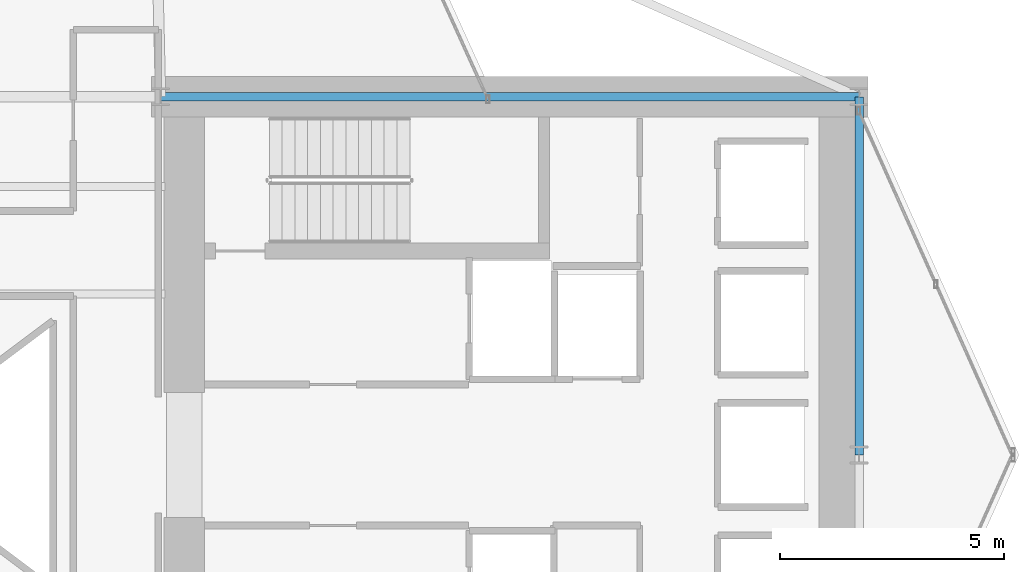
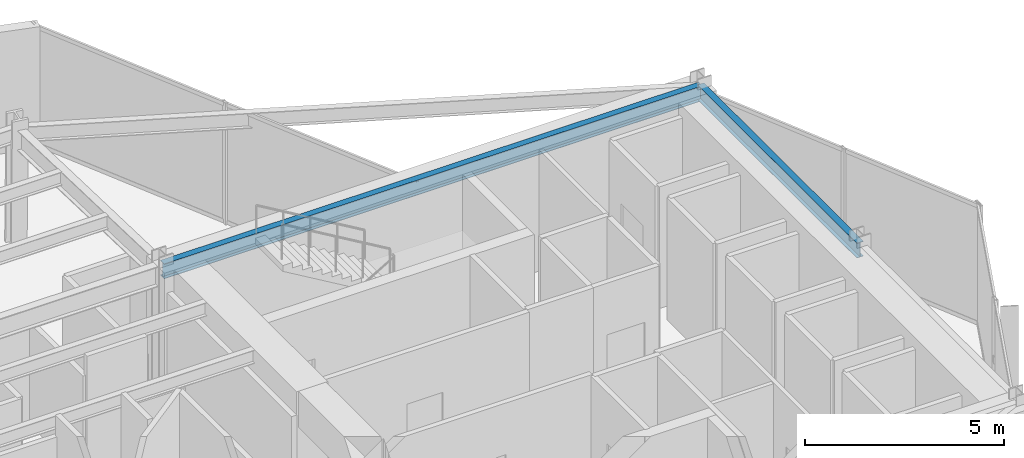
# One storey, part 13 of 25: 2 beams.
"""IFC4 building model written with IfcOpenShell, lengths in metres."""

import ifcopenshell
import ifcopenshell.guid

model = None  # the IFC model being written
_history = None  # IfcOwnerHistory: only IFC2X3 demands one
_inside = {}  # id of a spatial element -> (the spatial element, [elements in it])
_under = {}  # id of a project, library or spatial element -> (it, [spatial elements below it])
_declared = {}  # id of a project -> (the project, [libraries it declares])
_typed = {}  # id of a type object -> (the type object, [elements of that type])
_made_of = {}  # id of a material, layer set ... -> (it, [elements and type objects made of it])


def new_model(schema):
    """Start an empty IFC model of exactly this schema.

    Asked for "IFC4X3", IfcOpenShell would pick the latest addendum, in which some entities
    have other attributes; the version numbers below select the first issue.
    IFC2X3 requires an IfcOwnerHistory on every rooted entity: one is made here for all.
    """
    global model, _history
    if schema == "IFC4X3":
        model = ifcopenshell.file(schema_version=(4, 3, 0, 0))
    else:
        model = ifcopenshell.file(schema=schema)
    _inside.clear()
    _under.clear()
    _declared.clear()
    _typed.clear()
    _made_of.clear()
    _history = None
    if model.schema == "IFC2X3":
        org = make("IfcOrganization", Name="unknown")
        user = make(
            "IfcPersonAndOrganization",
            ThePerson=make("IfcPerson", FamilyName="unknown"),
            TheOrganization=org,
        )
        app = make(
            "IfcApplication",
            ApplicationDeveloper=org,
            Version="unknown",
            ApplicationFullName="unknown",
            ApplicationIdentifier="unknown",
        )
        _history = make(
            "IfcOwnerHistory",
            OwningUser=user,
            OwningApplication=app,
            ChangeAction="ADDED",
            CreationDate=0,
        )
    return model


def make(cls, **values):
    """One entity of the class cls with the attributes given. An attribute that is None is left unset."""
    return model.create_entity(
        cls, **{name: value for name, value in values.items() if value is not None}
    )


def rooted(cls, **values):
    """An entity with a GlobalId (a new one), such as an element, a storey or a relation."""
    return make(cls, GlobalId=ifcopenshell.guid.new(), OwnerHistory=_history, **values)


def si_unit(unit_type, name, prefix=None):
    """IfcSIUnit, for example si_unit("LENGTHUNIT", "METRE", prefix="MILLI")."""
    return make("IfcSIUnit", UnitType=unit_type, Prefix=prefix, Name=name)


def assignment(units):
    """IfcUnitAssignment: the units of a project."""
    return None if units is None else make("IfcUnitAssignment", Units=units)


def point(xyz):
    """IfcCartesianPoint."""
    return None if xyz is None else make("IfcCartesianPoint", Coordinates=xyz)


def direction(xyz):
    """IfcDirection."""
    return None if xyz is None else make("IfcDirection", DirectionRatios=xyz)


def frame(location, z_axis=None, x_axis=None):
    """IfcAxis2Placement3D, a coordinate frame: its origin and axes. An axis left out is left unset."""
    return make(
        "IfcAxis2Placement3D",
        Location=point(location),
        Axis=direction(z_axis),
        RefDirection=direction(x_axis),
    )


def frame_2d(location, x_axis=None):
    """IfcAxis2Placement2D, a coordinate frame in the plane: its origin and x axis."""
    return make(
        "IfcAxis2Placement2D", Location=point(location), RefDirection=direction(x_axis)
    )


def origin():
    """The frame at (0, 0, 0) with its axes left unset."""
    return frame((0.0, 0.0, 0.0))


def origin_2d():
    """The frame at (0, 0) in the plane with its x axis left unset."""
    return frame_2d((0.0, 0.0))


def place(relative_to, where):
    """IfcLocalPlacement: puts the frame where relative to a parent placement (None: the world)."""
    return make(
        "IfcLocalPlacement", PlacementRelTo=relative_to, RelativePlacement=where
    )


def context(
    kind, dimensions, precision=None, world=None, true_north=None, identifier=None
):
    """IfcGeometricRepresentationContext, for example the 3D "Model" context."""
    return make(
        "IfcGeometricRepresentationContext",
        ContextIdentifier=identifier,
        ContextType=kind,
        CoordinateSpaceDimension=dimensions,
        Precision=precision,
        WorldCoordinateSystem=world,
        TrueNorth=true_north,
    )


def subcontext(parent, identifier, kind, view, scale=None):
    """IfcGeometricRepresentationSubContext, for example "Body" below "Model"."""
    return make(
        "IfcGeometricRepresentationSubContext",
        ContextIdentifier=identifier,
        ContextType=kind,
        ParentContext=parent,
        TargetScale=scale,
        TargetView=view,
    )


def project(units=None, contexts=None):
    """IfcProject with its units and contexts."""
    return rooted(
        "IfcProject",
        Name="project",
        RepresentationContexts=contexts,
        UnitsInContext=assignment(units),
    )


def spatial(cls, under=None, at=None, **own):
    """A site, building, storey or space (cls), placed at a placement, below another one or the project."""
    s = rooted(cls, ObjectPlacement=at, **own)
    if under is not None:
        _under.setdefault(under.id(), (under, []))[1].append(s)
    return s


def profile(cls, at=None, kind="AREA", **sizes):
    """A parametric profile (cls). Its sizes go by their IFC names, for example OverallWidth=200.0."""
    return make(cls, ProfileType=kind, Position=at, **sizes)


def i_section(**sizes):
    """IfcIShapeProfileDef."""
    return profile("IfcIShapeProfileDef", **sizes)


def extrude(swept, where, along, depth):
    """IfcExtrudedAreaSolid: the profile swept, set in the frame where, extruded along a direction by depth."""
    return make(
        "IfcExtrudedAreaSolid",
        SweptArea=swept,
        Position=where,
        ExtrudedDirection=direction(along),
        Depth=depth,
    )


def shape(context_of_items, identifier, shape_type, items):
    """IfcShapeRepresentation: the items that make up one representation, for example the "Body"."""
    return make(
        "IfcShapeRepresentation",
        ContextOfItems=context_of_items,
        RepresentationIdentifier=identifier,
        RepresentationType=shape_type,
        Items=items,
    )


def material(Name=None, Category=None):
    """IfcMaterial."""
    return make("IfcMaterial", Name=Name, Category=Category)


def material_profile(
    of_material, cross_section, Name=None, Category=None, Priority=None
):
    """IfcMaterialProfile: a cross section and its material."""
    return make(
        "IfcMaterialProfile",
        Name=Name,
        Material=of_material,
        Profile=cross_section,
        Priority=Priority,
        Category=Category,
    )


def profile_set(profiles, Name=None, composite=None):
    """IfcMaterialProfileSet."""
    return make(
        "IfcMaterialProfileSet",
        Name=Name,
        MaterialProfiles=profiles,
        CompositeProfile=composite,
    )


def made_of(thing, what):
    """Note that an element or type object is made of a material, layer set ...; save() writes the relation."""
    if what is not None:
        _made_of.setdefault(what.id(), (what, []))[1].append(thing)
    return thing


def type_object(cls, material=None, **own):
    """A type object (cls), such as IfcWallType, which elements share."""
    return made_of(rooted(cls, **own), material)


def element(
    cls,
    number,
    at=None,
    inside=None,
    cuts=None,
    type_object=None,
    material=None,
    context=None,
    identifier="Body",
    shape_type=None,
    held_by="IfcProductDefinitionShape",
    body=None,
    shapes=None,
    **own,
):
    """One element of the class cls, such as IfcWall. Its Tag is "e" and its number.

    at: its placement. inside: the storey or other place that contains it. cuts: it is an
    opening in that element (IfcRelVoidsElement). A single representation is given by context,
    identifier, shape_type and body (its items); several are given by shapes. held_by: the class
    of the entity that holds the representations. save() writes the other relations.
    """
    e = rooted(cls, Tag="e%d" % number, ObjectPlacement=at, **own)
    if body is not None:
        shapes = [shape(context, identifier, shape_type, body)]
    if shapes is not None:
        e.Representation = make(held_by, Representations=shapes)
    if inside is not None:
        _inside.setdefault(inside.id(), (inside, []))[1].append(e)
    if cuts is not None:
        rooted(
            "IfcRelVoidsElement", RelatingBuildingElement=cuts, RelatedOpeningElement=e
        )
    if type_object is not None:
        _typed.setdefault(type_object.id(), (type_object, []))[1].append(e)
    return made_of(e, material)


def aggregate(whole, parts):
    """IfcRelAggregates: a whole, such as a stair, and the parts it consists of."""
    return rooted("IfcRelAggregates", RelatingObject=whole, RelatedObjects=parts)


def save(model, path):
    """Write the relations noted so far, then the file.

    IfcRelAggregates (storeys below a building ...), IfcRelContainedInSpatialStructure (elements
    in a storey), IfcRelDefinesByType, IfcRelAssociatesMaterial and IfcRelDeclares: one each for
    every whole, place, type object, material and project.
    """
    for whole, parts in _under.values():
        aggregate(whole, parts)
    for where, things in _inside.values():
        rooted(
            "IfcRelContainedInSpatialStructure",
            RelatedElements=things,
            RelatingStructure=where,
        )
    for kind, things in _typed.values():
        rooted("IfcRelDefinesByType", RelatedObjects=things, RelatingType=kind)
    for what, things in _made_of.values():
        rooted("IfcRelAssociatesMaterial", RelatedObjects=things, RelatingMaterial=what)
    for by, libraries in _declared.values():
        rooted("IfcRelDeclares", RelatingContext=by, RelatedDefinitions=libraries)
    model.write(path)


model = new_model("IFC4")

# Units and contexts
model_context = context("Model", 3, precision=1e-05, world=origin(), true_north=direction((0.0, 1.0)))
body_context = subcontext(model_context, "Body", "Model", "MODEL_VIEW")
ifc_project = project(units=[si_unit("LENGTHUNIT", "METRE"), si_unit("AREAUNIT", "SQUARE_METRE"), si_unit("VOLUMEUNIT", "CUBIC_METRE"), si_unit("PLANEANGLEUNIT", "RADIAN"), si_unit("MASSUNIT", "GRAM", prefix="KILO")], contexts=[model_context])

# Site, building, storey
site_placement = place(None, origin())
site = spatial("IfcSite", under=ifc_project, at=site_placement, CompositionType="ELEMENT")
building_placement = place(site_placement, origin())
building = spatial("IfcBuilding", under=site, at=building_placement, Name="Veymaron Broadcast Tower", CompositionType="ELEMENT")
storey_placement = place(building_placement, frame((0.0, 0.0, 102.60009765625)))
storey = spatial("IfcBuildingStorey", under=building, at=storey_placement, Name="L23", CompositionType="ELEMENT", Elevation=102.60009765625)

# Beams
ifc_material = material(Name="Structural steel ASTM A992 Gr 50", Category="steel")
ifc_material_profile = material_profile(ifc_material, i_section(OverallWidth=0.19091796875, OverallDepth=0.4599609375, WebThickness=0.010009765625, FlangeThickness=0.01611328125, at=origin_2d()), Name="W460X82")
ifc_profile_set = profile_set([ifc_material_profile], Name="Structural steel ASTM A992 Gr 50")
beam_type = type_object("IfcBeamType", Name="BM-SP1", PredefinedType="SPANDREL", material=ifc_profile_set)
beam_1_placement = place(storey_placement, frame((39.0, 32.0, 3.5), z_axis=(1.0, 0.0, 0.0), x_axis=(0.0, 1.0, 0.0)))
element("IfcBeam", 1, at=beam_1_placement, inside=storey, type_object=beam_type, Name="L23 primary structural floor girder", PredefinedType="SPANDREL", context=body_context, shape_type="SweptSolid", body=[
    extrude(i_section(OverallWidth=0.19091796875, OverallDepth=0.4599609375, WebThickness=0.010009765625, FlangeThickness=0.01611328125, at=origin_2d()), origin(), (0.0, 0.0, 1.0), 15.60009765625),
])
beam_2_placement = place(storey_placement, frame((54.60009765625, 24.0, 3.5), z_axis=(0.0, 1.0, 0.0), x_axis=(-1.0, 0.0, 0.0)))
element("IfcBeam", 2, at=beam_2_placement, inside=storey, type_object=beam_type, Name="L23 primary structural floor girder", PredefinedType="SPANDREL", context=body_context, shape_type="SweptSolid", body=[
    extrude(i_section(OverallWidth=0.19091796875, OverallDepth=0.4599609375, WebThickness=0.010009765625, FlangeThickness=0.01611328125, at=origin_2d()), origin(), (0.0, 0.0, 1.0), 8.0),
])

save(model, "model.ifc")
